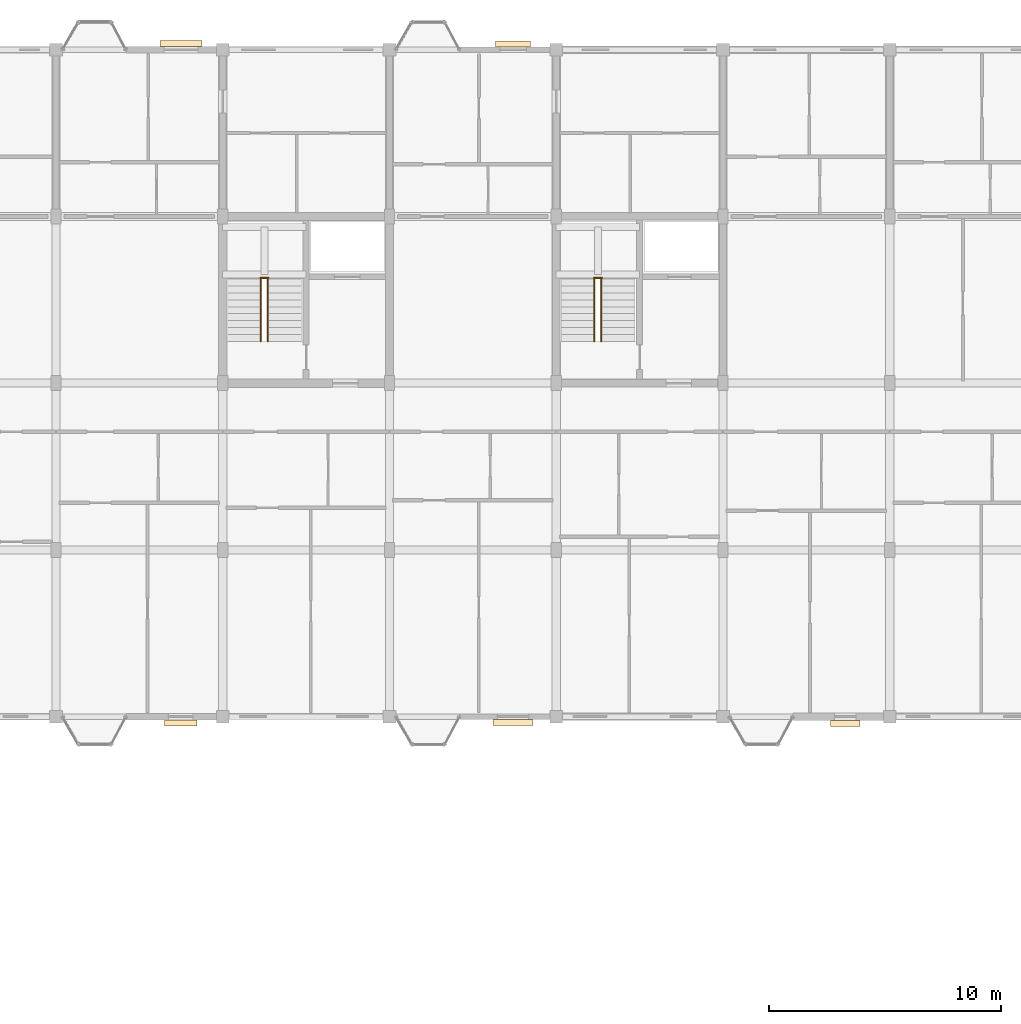
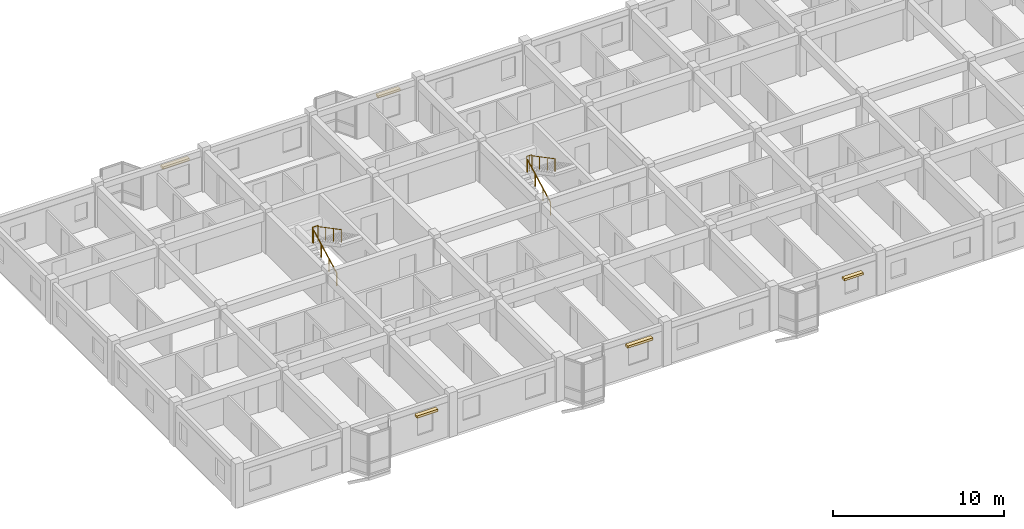
# One storey, part 77 of 77: 6 railings, 5 coverings.
"""IFC4 building model written with IfcOpenShell, lengths in metres."""

from ifc_helpers import new_model, si_unit, direction, frame, origin, origin_2d, place, context, subcontext, project, spatial, rectangle, circle, extrude, material, layer, layer_set, type_object, element, save


model = new_model("IFC4")

# Units and contexts
model_context = context("Model", 3, precision=1e-05, world=origin(), true_north=direction((0.0, 1.0)))
body_context = subcontext(model_context, "Body", "Model", "MODEL_VIEW")
ifc_project = project(units=[si_unit("LENGTHUNIT", "METRE"), si_unit("AREAUNIT", "SQUARE_METRE"), si_unit("VOLUMEUNIT", "CUBIC_METRE"), si_unit("PLANEANGLEUNIT", "RADIAN"), si_unit("MASSUNIT", "GRAM", prefix="KILO"), si_unit("THERMODYNAMICTEMPERATUREUNIT", "KELVIN"), si_unit("POWERUNIT", "WATT")], contexts=[model_context])

# Site, building, storey
site_placement = place(None, origin())
site = spatial("IfcSite", under=ifc_project, at=site_placement, CompositionType="ELEMENT")
building_placement = place(site_placement, origin())
building = spatial("IfcBuilding", under=site, at=building_placement, Name="Tavuni Mirador Residences", CompositionType="ELEMENT")
storey_placement = place(building_placement, frame((0.0, 0.0, 10.800048828125)))
storey = spatial("IfcBuildingStorey", under=building, at=storey_placement, Name="L03", CompositionType="ELEMENT", Elevation=10.800048828125)

# Coverings
ifc_material_1 = material(Name="Natural coral limestone", Category="masonry")
ifc_layer = layer(ifc_material_1, 0.054931640625, Name="Natural coral limestone", Category="masonry")
ifc_layer_set = layer_set([ifc_layer], Name="Natural coral limestone")
covering_type = type_object("IfcCoveringType", Name="CVT-CLAD-CORAL", PredefinedType="CLADDING", material=ifc_layer_set)
covering_1_placement = place(storey_placement, frame((23.382568359375, 143.735595703125, 2.240234375), z_axis=(0.0, 0.0, 1.0), x_axis=(1.0, 0.0, 0.0)))
element("IfcCovering", 1, at=covering_1_placement, inside=storey, type_object=covering_type, Name="HOOD-0605", PredefinedType="CLADDING", context=body_context, shape_type="SweptSolid", body=[
    extrude(rectangle(XDim=1.409912109375, YDim=0.260009765625, at=origin_2d()), origin(), (0.0, 0.0, 1.0), 0.159912109375),
])
covering_2_placement = place(storey_placement, frame((37.732421875, 143.75048828125, 2.240234375), z_axis=(0.0, 0.0, 1.0), x_axis=(1.0, 0.0, 0.0)))
element("IfcCovering", 2, at=covering_2_placement, inside=storey, type_object=covering_type, Name="HOOD-0606", PredefinedType="CLADDING", context=body_context, shape_type="SweptSolid", body=[
    extrude(rectangle(XDim=1.7099609375, YDim=0.260009765625, at=origin_2d()), origin(), (0.0, 0.0, 1.0), 0.159912109375),
])
covering_3_placement = place(storey_placement, frame((52.08251953125, 143.715576171875, 1.9501953125), z_axis=(0.0, 0.0, 1.0), x_axis=(1.0, 0.0, 0.0)))
element("IfcCovering", 3, at=covering_3_placement, inside=storey, type_object=covering_type, Name="HOOD-0607", PredefinedType="CLADDING", context=body_context, shape_type="SweptSolid", body=[
    extrude(rectangle(XDim=1.280029296875, YDim=0.260009765625, at=origin_2d()), origin(), (0.0, 0.0, 1.0), 0.159912109375),
])
covering_4_placement = place(storey_placement, frame((37.737548828125, 173.049560546875, 2.240234375), z_axis=(0.0, 0.0, 1.0), x_axis=(-1.0, 0.0, 0.0)))
element("IfcCovering", 4, at=covering_4_placement, inside=storey, type_object=covering_type, Name="HOOD-0608", PredefinedType="CLADDING", context=body_context, shape_type="SweptSolid", body=[
    extrude(rectangle(XDim=1.510009765625, YDim=0.260009765625, at=origin_2d()), origin(), (0.0, 0.0, 1.0), 0.159912109375),
])
covering_5_placement = place(storey_placement, frame((23.3974609375, 173.064453125, 2.240234375), z_axis=(0.0, 0.0, 1.0), x_axis=(-1.0, 0.0, 0.0)))
element("IfcCovering", 5, at=covering_5_placement, inside=storey, type_object=covering_type, Name="HOOD-0609", PredefinedType="CLADDING", context=body_context, shape_type="SweptSolid", body=[
    extrude(rectangle(XDim=1.81005859375, YDim=0.260009765625, at=origin_2d()), origin(), (0.0, 0.0, 1.0), 0.159912109375),
])

# Railings
ifc_material_2 = material(Name="Structural steel S355", Category="steel")
railing_type_1 = type_object("IfcRailingType", Name="RT-GR1120", PredefinedType="GUARDRAIL", material=ifc_material_2)
railing_1_placement = place(storey_placement, frame((26.820068359375, 162.93994140625, 1.574951171875)))
element("IfcRailing", 6, at=railing_1_placement, inside=storey, type_object=railing_type_1, Name="GRD-HL-ST5-L03", PredefinedType="GUARDRAIL", context=body_context, shape_type="SweptSolid", body=[
    extrude(circle(Radius=0.02392578125, at=origin_2d()), frame((0.0, 0.0, 1.09619140625), z_axis=(1.0, 0.0, 0.0), x_axis=(0.0, 1.0, 0.0)), (0.0, 0.0, 1.0), 0.35986328125),
    extrude(circle(Radius=0.02099609375, at=origin_2d()), origin(), (0.0, 0.0, 1.0), 1.072021484375),
    extrude(circle(Radius=0.02099609375, at=origin_2d()), frame((0.35986328125, 0.0, 0.0)), (0.0, 0.0, 1.0), 1.072021484375),
])
railing_2_placement = place(storey_placement, frame((41.219970703125, 162.93994140625, 1.574951171875)))
element("IfcRailing", 7, at=railing_2_placement, inside=storey, type_object=railing_type_1, Name="GRD-HL-ST6-L03", PredefinedType="GUARDRAIL", context=body_context, shape_type="SweptSolid", body=[
    extrude(circle(Radius=0.02392578125, at=origin_2d()), frame((0.0, 0.0, 1.09619140625), z_axis=(1.0, 0.0, 0.0), x_axis=(0.0, 1.0, 0.0)), (0.0, 0.0, 1.0), 0.360107421875),
    extrude(circle(Radius=0.02099609375, at=origin_2d()), origin(), (0.0, 0.0, 1.0), 1.072021484375),
    extrude(circle(Radius=0.02099609375, at=origin_2d()), frame((0.18017578125, 0.0, 0.0)), (0.0, 0.0, 1.0), 1.072021484375),
    extrude(circle(Radius=0.02099609375, at=origin_2d()), frame((0.360107421875, 0.0, 0.0)), (0.0, 0.0, 1.0), 1.072021484375),
])
railing_type_2 = type_object("IfcRailingType", Name="RT-HR920", PredefinedType="HANDRAIL", material=ifc_material_2)
railing_3_placement = place(storey_placement, frame((26.85009765625, 160.199951171875, 0.157470703125)))
element("IfcRailing", 8, at=railing_3_placement, inside=storey, type_object=railing_type_2, Name="HR-ST5-L03-F1", PredefinedType="HANDRAIL", context=body_context, shape_type="SweptSolid", body=[
    extrude(circle(Radius=0.02392578125, at=origin_2d()), frame((0.0, 0.0, 0.89599609375), z_axis=(0.0, 0.885397079081, 0.464835468048), x_axis=(-1.0, 0.0, 0.0)), (0.0, 0.0, 1.0), 3.04931640625),
    extrude(circle(Radius=0.02099609375, at=origin_2d()), origin(), (0.0, 0.0, 1.0), 0.871826171875),
    extrude(circle(Radius=0.02099609375, at=origin_2d()), frame((0.0, 0.89990234375, 0.472412109375)), (0.0, 0.0, 1.0), 0.871826171875),
    extrude(circle(Radius=0.02099609375, at=origin_2d()), frame((0.0, 1.800048828125, 0.945068359375)), (0.0, 0.0, 1.0), 0.871826171875),
    extrude(circle(Radius=0.02099609375, at=origin_2d()), frame((0.0, 2.699951171875, 1.41748046875)), (0.0, 0.0, 1.0), 0.871826171875),
])
railing_4_placement = place(storey_placement, frame((27.14990234375, 162.89990234375, 1.732421875)))
element("IfcRailing", 9, at=railing_4_placement, inside=storey, type_object=railing_type_2, Name="HR-ST5-L03-F2", PredefinedType="HANDRAIL", context=body_context, shape_type="SweptSolid", body=[
    extrude(circle(Radius=0.02392578125, at=origin_2d()), frame((0.0, 0.0, 0.89599609375), z_axis=(0.0, -0.885397079081, 0.464835468048), x_axis=(1.0, 0.0, 0.0)), (0.0, 0.0, 1.0), 3.04931640625),
    extrude(circle(Radius=0.02099609375, at=origin_2d()), origin(), (0.0, 0.0, 1.0), 0.871826171875),
    extrude(circle(Radius=0.02099609375, at=origin_2d()), frame((0.0, -0.89990234375, 0.472412109375)), (0.0, 0.0, 1.0), 0.871826171875),
    extrude(circle(Radius=0.02099609375, at=origin_2d()), frame((0.0, -1.800048828125, 0.945068359375)), (0.0, 0.0, 1.0), 0.871826171875),
    extrude(circle(Radius=0.02099609375, at=origin_2d()), frame((0.0, -2.699951171875, 1.41748046875)), (0.0, 0.0, 1.0), 0.871826171875),
])
railing_5_placement = place(storey_placement, frame((41.25, 160.199951171875, 0.157470703125)))
element("IfcRailing", 10, at=railing_5_placement, inside=storey, type_object=railing_type_2, Name="HR-ST6-L03-F1", PredefinedType="HANDRAIL", context=body_context, shape_type="SweptSolid", body=[
    extrude(circle(Radius=0.02392578125, at=origin_2d()), frame((0.0, 0.0, 0.89599609375), z_axis=(0.0, 0.885397079081, 0.464835468048), x_axis=(-1.0, 0.0, 0.0)), (0.0, 0.0, 1.0), 3.04931640625),
    extrude(circle(Radius=0.02099609375, at=origin_2d()), origin(), (0.0, 0.0, 1.0), 0.871826171875),
    extrude(circle(Radius=0.02099609375, at=origin_2d()), frame((0.0, 0.89990234375, 0.472412109375)), (0.0, 0.0, 1.0), 0.871826171875),
    extrude(circle(Radius=0.02099609375, at=origin_2d()), frame((0.0, 1.800048828125, 0.945068359375)), (0.0, 0.0, 1.0), 0.871826171875),
    extrude(circle(Radius=0.02099609375, at=origin_2d()), frame((0.0, 2.699951171875, 1.41748046875)), (0.0, 0.0, 1.0), 0.871826171875),
])
railing_6_placement = place(storey_placement, frame((41.550048828125, 162.89990234375, 1.732421875)))
element("IfcRailing", 11, at=railing_6_placement, inside=storey, type_object=railing_type_2, Name="HR-ST6-L03-F2", PredefinedType="HANDRAIL", context=body_context, shape_type="SweptSolid", body=[
    extrude(circle(Radius=0.02392578125, at=origin_2d()), frame((0.0, 0.0, 0.89599609375), z_axis=(0.0, -0.885397079081, 0.464835468048), x_axis=(1.0, 0.0, 0.0)), (0.0, 0.0, 1.0), 3.04931640625),
    extrude(circle(Radius=0.02099609375, at=origin_2d()), origin(), (0.0, 0.0, 1.0), 0.871826171875),
    extrude(circle(Radius=0.02099609375, at=origin_2d()), frame((0.0, -0.89990234375, 0.472412109375)), (0.0, 0.0, 1.0), 0.871826171875),
    extrude(circle(Radius=0.02099609375, at=origin_2d()), frame((0.0, -1.800048828125, 0.945068359375)), (0.0, 0.0, 1.0), 0.871826171875),
    extrude(circle(Radius=0.02099609375, at=origin_2d()), frame((0.0, -2.699951171875, 1.41748046875)), (0.0, 0.0, 1.0), 0.871826171875),
])

save(model, "model.ifc")
